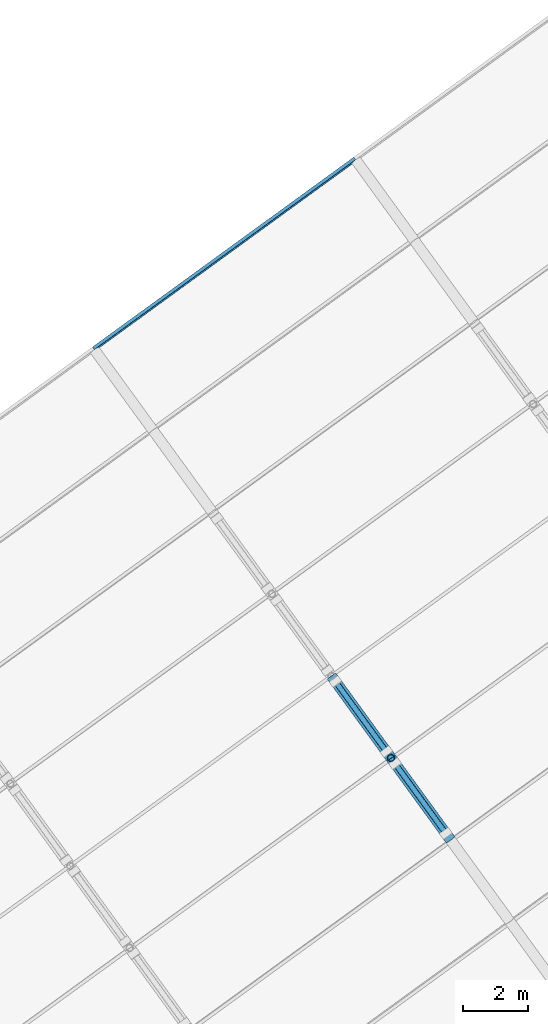
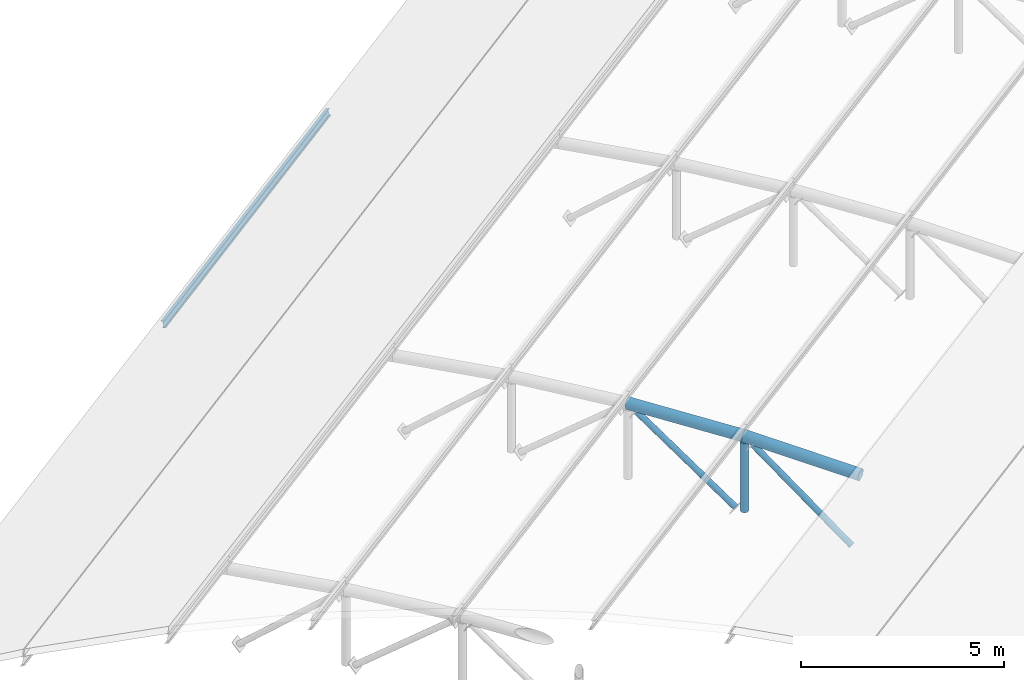
# One storey, part 15 of 41: 5 members, 1 beam.
"""IFC4 building model written with IfcOpenShell, lengths in metres."""

from ifc_helpers import new_model, si_unit, direction, frame, origin, origin_2d, place, context, subcontext, project, spatial, hollow_circle, i_section, extrude, material, material_profile, profile_set, type_object, element, save


model = new_model("IFC4")

# Units and contexts
model_context = context("Model", 3, precision=1e-05, world=origin(), true_north=direction((0.0, 1.0)))
body_context = subcontext(model_context, "Body", "Model", "MODEL_VIEW")
ifc_project = project(units=[si_unit("LENGTHUNIT", "METRE"), si_unit("AREAUNIT", "SQUARE_METRE"), si_unit("VOLUMEUNIT", "CUBIC_METRE"), si_unit("PLANEANGLEUNIT", "RADIAN"), si_unit("MASSUNIT", "GRAM", prefix="KILO")], contexts=[model_context])

# Site, building, storey
site_placement = place(None, origin())
site = spatial("IfcSite", under=ifc_project, at=site_placement, CompositionType="ELEMENT")
building_placement = place(site_placement, origin())
building = spatial("IfcBuilding", under=site, at=building_placement, Name="Okhra Congress Centre", CompositionType="ELEMENT")
storey_placement = place(building_placement, frame((0.0, 0.0, 21.60009765625)))
storey = spatial("IfcBuildingStorey", under=building, at=storey_placement, Name="ROOF", CompositionType="ELEMENT", Elevation=21.60009765625)

# Members
ifc_material_1 = material(Name="Steel S355J2H", Category="steel")
ifc_material_profile_1 = material_profile(ifc_material_1, hollow_circle(Radius=0.084228515625, WallThickness=0.00634765625, at=origin_2d()), Name="CHS 168.3x6.3")
ifc_profile_set_1 = profile_set([ifc_material_profile_1], Name="Steel S355J2H")
member_type_1 = type_object("IfcMemberType", Name="CHS 168.3x6.3", PredefinedType="BRACE", material=ifc_profile_set_1)
member_1_placement = place(storey_placement, frame((233.6611328125, 184.8349609375, -1.07080078125), z_axis=(-0.446907559509, 0.615039240618, 0.649615552272), x_axis=(-0.808982344695, -0.587832940529, 0.0)))
element("IfcMember", 1, at=member_1_placement, inside=storey, type_object=member_type_1, Name="Truss 3 diagonal 8", PredefinedType="BRACE", context=body_context, shape_type="SweptSolid", body=[
    extrude(hollow_circle(Radius=0.084228515625, WallThickness=0.00634765625, at=origin_2d()), origin(), (0.0, 0.0, 1.0), 3.4951171875),
])
member_2_placement = place(storey_placement, frame((231.822021484375, 187.3662109375, -0.812255859375), z_axis=(-0.460427799508, 0.633760263966, 0.621573945125), x_axis=(-0.809032767915, -0.587763541264, 0.0)))
element("IfcMember", 2, at=member_2_placement, inside=storey, type_object=member_type_1, Name="Truss 3 diagonal 9", PredefinedType="BRACE", context=body_context, shape_type="SweptSolid", body=[
    extrude(hollow_circle(Radius=0.084228515625, WallThickness=0.00634765625, at=origin_2d()), origin(), (0.0, 0.0, 1.0), 3.40576171875),
])
ifc_material_profile_2 = material_profile(ifc_material_1, hollow_circle(Radius=0.109619140625, WallThickness=0.008056640625, at=origin_2d()), Name="CHS 219.1x8")
ifc_profile_set_2 = profile_set([ifc_material_profile_2], Name="Steel S355J2H")
member_type_2 = type_object("IfcMemberType", Name="CHS 219.1x8", PredefinedType="POST", material=ifc_profile_set_2)
member_3_placement = place(storey_placement, frame((231.966064453125, 187.16796875, -0.842529296875), z_axis=(0.0, 0.0, 1.0), x_axis=(1.0, 0.0, 0.0)))
element("IfcMember", 3, at=member_3_placement, inside=storey, type_object=member_type_2, Name="Truss 3 post 8", PredefinedType="POST", context=body_context, shape_type="SweptSolid", body=[
    extrude(hollow_circle(Radius=0.109619140625, WallThickness=0.008056640625, at=origin_2d()), origin(), (0.0, 0.0, 1.0), 2.071533203125),
])
ifc_material_profile_3 = material_profile(ifc_material_1, hollow_circle(Radius=0.161865234375, WallThickness=0.012451171875, at=origin_2d()), Name="CHS 323.9x12.5")
ifc_profile_set_3 = profile_set([ifc_material_profile_3], Name="Steel S355J2H")
member_type_3 = type_object("IfcMemberType", Name="CHS 323.9x12.5", PredefinedType="CHORD", material=ifc_profile_set_3)
member_4_placement = place(storey_placement, frame((233.805419921875, 184.63623046875, 1.119384765625), z_axis=(-0.58553770002, 0.805949820707, 0.087123408777), x_axis=(-0.809026121159, -0.587772690146, 0.0)))
element("IfcMember", 4, at=member_4_placement, inside=storey, type_object=member_type_3, Name="Truss 3 top chord 8", PredefinedType="CHORD", context=body_context, shape_type="SweptSolid", body=[
    extrude(hollow_circle(Radius=0.161865234375, WallThickness=0.012451171875, at=origin_2d()), origin(), (0.0, 0.0, 1.0), 3.141357421875),
])
member_5_placement = place(storey_placement, frame((231.966064453125, 187.16796875, 1.39306640625), z_axis=(-0.587538134891, 0.808671352746, 0.029147612195), x_axis=(-0.809015088623, -0.587787875327, 0.0)))
element("IfcMember", 5, at=member_5_placement, inside=storey, type_object=member_type_3, Name="Truss 3 top chord 9", PredefinedType="CHORD", context=body_context, shape_type="SweptSolid", body=[
    extrude(hollow_circle(Radius=0.161865234375, WallThickness=0.012451171875, at=origin_2d()), origin(), (0.0, 0.0, 1.0), 3.14111328125),
])

# Beam
ifc_material_2 = material(Name="Steel S355J2", Category="steel")
ifc_material_profile_4 = material_profile(ifc_material_2, i_section(OverallWidth=0.10009765625, OverallDepth=0.199951171875, WebThickness=0.005615234375, FlangeThickness=0.008544921875, FilletRadius=0.011962890625, at=origin_2d()), Name="IPE 200")
ifc_profile_set_4 = profile_set([ifc_material_profile_4], Name="Steel S355J2")
beam_type = type_object("IfcBeamType", Name="IPE 200", PredefinedType="BEAM", material=ifc_profile_set_4)
beam_placement = place(storey_placement, frame((222.765625, 199.831298828125, 0.281005859375), z_axis=(0.809018924928, 0.587782595105, 0.0), x_axis=(-0.571938839183, 0.787211715105, -0.230615870737)))
element("IfcBeam", 6, at=beam_placement, inside=storey, type_object=beam_type, Name="Purlin 14.81", PredefinedType="BEAM", context=body_context, shape_type="SweptSolid", body=[
    extrude(i_section(OverallWidth=0.10009765625, OverallDepth=0.199951171875, WebThickness=0.005615234375, FlangeThickness=0.008544921875, FilletRadius=0.011962890625, at=origin_2d()), origin(), (0.0, 0.0, 1.0), 10.000244140625),
])

save(model, "model.ifc")
